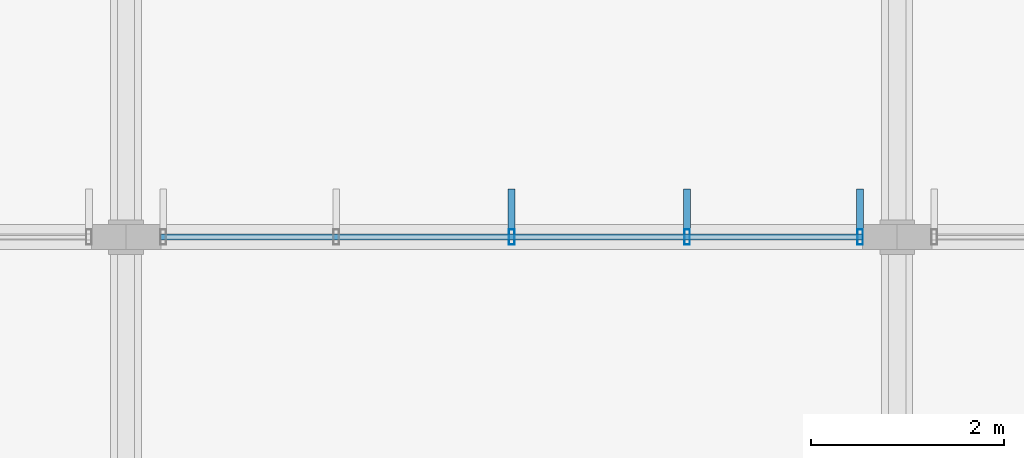
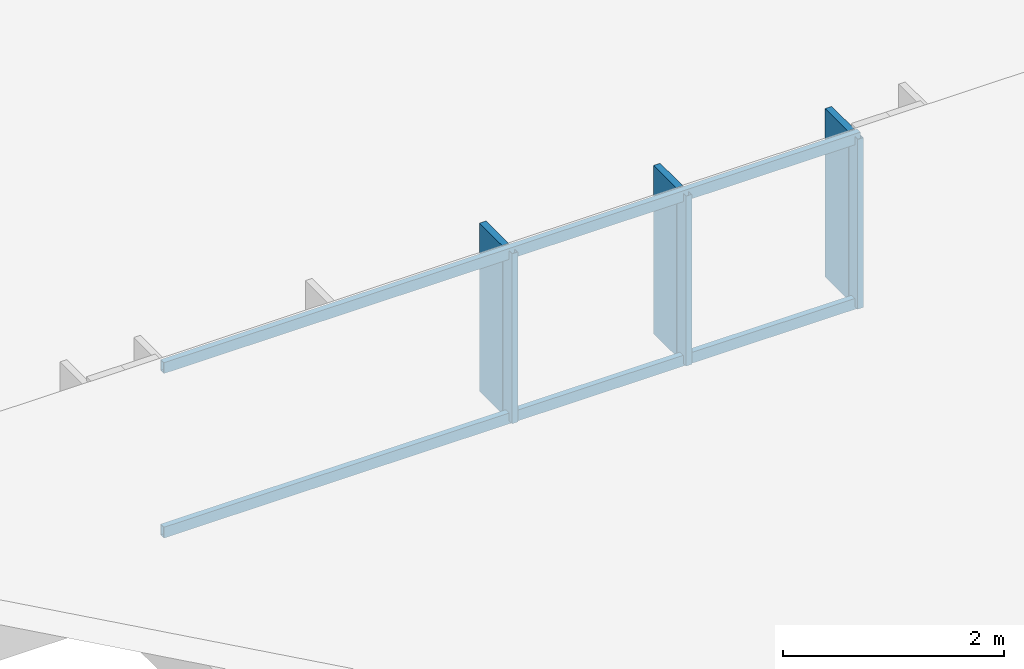
# One storey, part 29 of 94: 8 members, 1 element without a shape of its own.
"""IFC4 building model written with IfcOpenShell, lengths in metres."""

from ifc_helpers import new_model, si_unit, direction, frame, origin, origin_2d, place, context, subcontext, project, spatial, rectangle, hollow_rectangle, extrude, material, material_profile, profile_set, type_object, element, aggregate, save


model = new_model("IFC4")

# Units and contexts
model_context = context("Model", 3, precision=1e-05, world=origin(), true_north=direction((0.0, 1.0)))
body_context = subcontext(model_context, "Body", "Model", "MODEL_VIEW")
ifc_project = project(units=[si_unit("LENGTHUNIT", "METRE"), si_unit("AREAUNIT", "SQUARE_METRE"), si_unit("VOLUMEUNIT", "CUBIC_METRE"), si_unit("PLANEANGLEUNIT", "RADIAN"), si_unit("MASSUNIT", "GRAM", prefix="KILO")], contexts=[model_context])

# Site, building, storey
site_placement = place(None, origin())
site = spatial("IfcSite", under=ifc_project, at=site_placement, CompositionType="ELEMENT")
building_placement = place(site_placement, origin())
building = spatial("IfcBuilding", under=site, at=building_placement, Name="Chiffa Square Polytechnic", CompositionType="ELEMENT")
storey_placement = place(building_placement, frame((0.0, 0.0, 18.0)))
storey = spatial("IfcBuildingStorey", under=building, at=storey_placement, Name="L04", CompositionType="ELEMENT", Elevation=18.0)

# Curtain wall, members
ifc_material_1 = material(Name="Aluminium EN AW-6060 T66 and glulam shading", Category="wood")
curtain_wall_type = type_object("IfcCurtainWallType", Name="CW-VERT-450X440", PredefinedType="USERDEFINED", material=ifc_material_1)
curtain_wall_placement = place(storey_placement, origin())
curtain_wall = element("IfcCurtainWall", 1, at=curtain_wall_placement, inside=storey, type_object=curtain_wall_type, Name="Curtain wall CW-V6-SAW6-2", ObjectType="CURTAIN WALL", PredefinedType="USERDEFINED")
ifc_material_2 = material(Name="Aluminium EN AW-6060 T66", Category="aluminium")
ifc_material_profile_1 = material_profile(ifc_material_2, hollow_rectangle(XDim=0.06005859375, YDim=0.159912109375, WallThickness=0.00390625, at=origin_2d()), Name="ALU 60x160x4")
ifc_profile_set_1 = profile_set([ifc_material_profile_1], Name="Aluminium EN AW-6060 T66")
member_type_1 = type_object("IfcMemberType", Name="CWM-ALU-65X150", PredefinedType="MULLION", material=ifc_profile_set_1)
member_1_placement = place(storey_placement, frame((15.614990234375, 79.800048828125, 0.699951171875), z_axis=(0.0, 0.0, 1.0), x_axis=(1.0, 0.0, 0.0)))
member_1 = element("IfcMember", 2, at=member_1_placement, type_object=member_type_1, Name="Curtain wall mullion CW-V6-SAW6-2-M00", PredefinedType="MULLION", context=body_context, shape_type="SweptSolid", body=[
    extrude(hollow_rectangle(XDim=0.06005859375, YDim=0.159912109375, WallThickness=0.00390625, at=origin_2d()), origin(), (0.0, 0.0, 1.0), 1.879150390625),
])
member_2_placement = place(storey_placement, frame((13.820068359375, 79.800048828125, 0.699951171875), z_axis=(0.0, 0.0, 1.0), x_axis=(1.0, 0.0, 0.0)))
member_2 = element("IfcMember", 3, at=member_2_placement, type_object=member_type_1, Name="Curtain wall mullion CW-V6-SAW6-2-M01", PredefinedType="MULLION", context=body_context, shape_type="SweptSolid", body=[
    extrude(hollow_rectangle(XDim=0.06005859375, YDim=0.159912109375, WallThickness=0.00390625, at=origin_2d()), origin(), (0.0, 0.0, 1.0), 1.879150390625),
])
member_3_placement = place(storey_placement, frame((12.0, 79.800048828125, 0.699951171875), z_axis=(0.0, 0.0, 1.0), x_axis=(1.0, 0.0, 0.0)))
member_3 = element("IfcMember", 4, at=member_3_placement, type_object=member_type_1, Name="Curtain wall mullion CW-V6-SAW6-2-M02", PredefinedType="MULLION", context=body_context, shape_type="SweptSolid", body=[
    extrude(hollow_rectangle(XDim=0.06005859375, YDim=0.159912109375, WallThickness=0.00390625, at=origin_2d()), origin(), (0.0, 0.0, 1.0), 1.879150390625),
])
ifc_material_3 = material(Name="Glulam GL28h", Category="wood")
ifc_material_profile_2 = material_profile(ifc_material_3, rectangle(XDim=0.070068359375, YDim=0.419921875, at=origin_2d()), Name="GL28h 70x420")
ifc_profile_set_2 = profile_set([ifc_material_profile_2], Name="Glulam GL28h")
member_type_2 = type_object("IfcMemberType", Name="CWM-GL-70X420", PredefinedType="MULLION", material=ifc_profile_set_2)
member_4_placement = place(storey_placement, frame((15.614990234375, 80.092041015625, 0.7099609375), z_axis=(0.0, 0.0, 1.0), x_axis=(-1.0, 0.0, 0.0)))
member_4 = element("IfcMember", 5, at=member_4_placement, type_object=member_type_2, Name="Exterior glulam solar fin CW-V6-SAW6-2-FN00", PredefinedType="MULLION", context=body_context, shape_type="SweptSolid", body=[
    extrude(rectangle(XDim=0.070068359375, YDim=0.419921875, at=origin_2d()), origin(), (0.0, 0.0, 1.0), 1.859130859375),
])
member_5_placement = place(storey_placement, frame((13.820068359375, 80.092041015625, 0.7099609375), z_axis=(0.0, 0.0, 1.0), x_axis=(-1.0, 0.0, 0.0)))
member_5 = element("IfcMember", 6, at=member_5_placement, type_object=member_type_2, Name="Exterior glulam solar fin CW-V6-SAW6-2-FN01", PredefinedType="MULLION", context=body_context, shape_type="SweptSolid", body=[
    extrude(rectangle(XDim=0.070068359375, YDim=0.419921875, at=origin_2d()), origin(), (0.0, 0.0, 1.0), 1.859130859375),
])
member_6_placement = place(storey_placement, frame((12.0, 80.092041015625, 0.7099609375), z_axis=(0.0, 0.0, 1.0), x_axis=(-1.0, 0.0, 0.0)))
member_6 = element("IfcMember", 7, at=member_6_placement, type_object=member_type_2, Name="Exterior glulam solar fin CW-V6-SAW6-2-FN02", PredefinedType="MULLION", context=body_context, shape_type="SweptSolid", body=[
    extrude(rectangle(XDim=0.070068359375, YDim=0.419921875, at=origin_2d()), origin(), (0.0, 0.0, 1.0), 1.859130859375),
])
ifc_material_profile_3 = material_profile(ifc_material_2, hollow_rectangle(XDim=0.06005859375, YDim=0.1201171875, WallThickness=0.00390625, at=origin_2d()), Name="ALU 60x120x4")
ifc_profile_set_3 = profile_set([ifc_material_profile_3], Name="Aluminium EN AW-6060 T66")
member_type_3 = type_object("IfcMemberType", Name="CWT-ALU-65X120", PredefinedType="USERDEFINED", material=ifc_profile_set_3)
member_7_placement = place(storey_placement, frame((15.64208984375, 79.800048828125, 0.72998046875), z_axis=(-1.0, 0.0, 0.0), x_axis=(0.0, -1.0, 0.0)))
member_7 = element("IfcMember", 8, at=member_7_placement, type_object=member_type_3, Name="Curtain wall transom CW-V6-SAW6-2-T01", ObjectType="TRANSOM", PredefinedType="USERDEFINED", context=body_context, shape_type="SweptSolid", body=[
    extrude(hollow_rectangle(XDim=0.06005859375, YDim=0.1201171875, WallThickness=0.00390625, at=origin_2d()), origin(), (0.0, 0.0, 1.0), 7.2841796875),
])
member_8_placement = place(storey_placement, frame((15.64208984375, 79.800048828125, 2.549072265625), z_axis=(-1.0, 0.0, 0.0), x_axis=(0.0, -1.0, 0.0)))
member_8 = element("IfcMember", 9, at=member_8_placement, type_object=member_type_3, Name="Curtain wall transom CW-V6-SAW6-2-T02", ObjectType="TRANSOM", PredefinedType="USERDEFINED", context=body_context, shape_type="SweptSolid", body=[
    extrude(hollow_rectangle(XDim=0.06005859375, YDim=0.1201171875, WallThickness=0.00390625, at=origin_2d()), origin(), (0.0, 0.0, 1.0), 7.2841796875),
])
aggregate(curtain_wall, [member_1, member_4, member_2, member_5, member_3, member_6, member_7, member_8])

save(model, "model.ifc")
